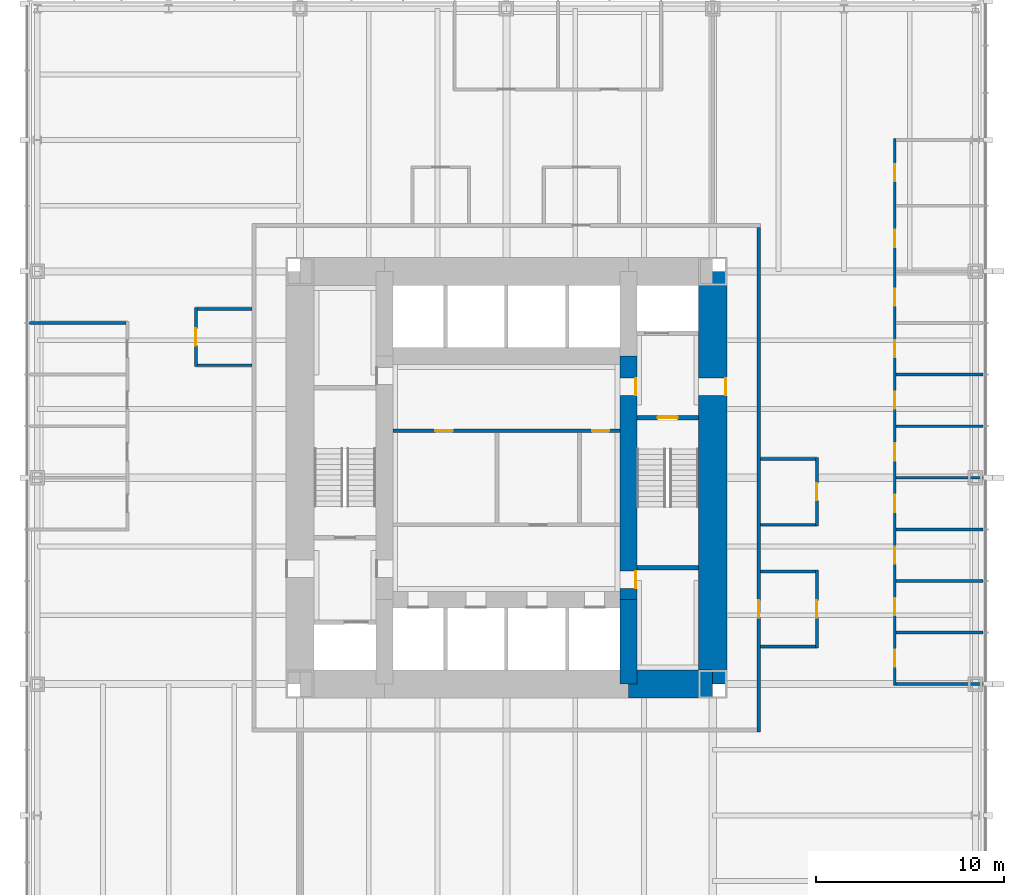
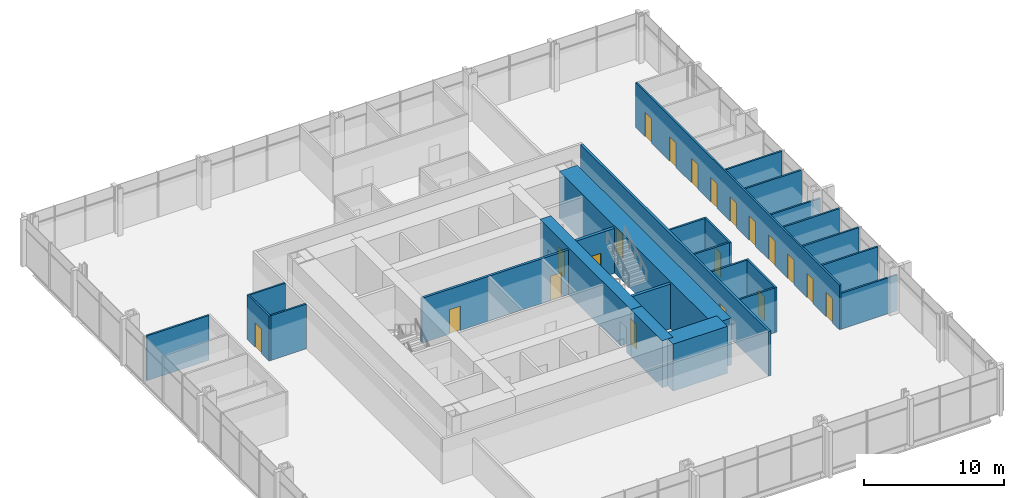
# One storey, part 10 of 12: 26 walls, 20 doors, 20 openings.
"""IFC4 building model written with IfcOpenShell, lengths in metres."""

from ifc_helpers import new_model, si_unit, direction, frame, frame_2d, origin, place, context, subcontext, project, spatial, rectangle, extrude, material, layer, layer_set, type_object, element, fill, save


model = new_model("IFC4")

# Units and contexts
model_context = context("Model", 3, precision=1e-05, world=origin(), true_north=direction((0.0, 1.0)))
body_context = subcontext(model_context, "Body", "Model", "MODEL_VIEW")
ifc_project = project(units=[si_unit("LENGTHUNIT", "METRE"), si_unit("AREAUNIT", "SQUARE_METRE"), si_unit("VOLUMEUNIT", "CUBIC_METRE"), si_unit("PLANEANGLEUNIT", "RADIAN"), si_unit("MASSUNIT", "GRAM", prefix="KILO")], contexts=[model_context])

# Site, building, storey
site_placement = place(None, origin())
site = spatial("IfcSite", under=ifc_project, at=site_placement, CompositionType="ELEMENT")
building_placement = place(site_placement, origin())
building = spatial("IfcBuilding", under=site, at=building_placement, Name="Trevanion Tower", CompositionType="ELEMENT")
storey_placement = place(building_placement, frame((0.0, 0.0, 48.800048828125)))
storey = spatial("IfcBuildingStorey", under=building, at=storey_placement, Name="L11", CompositionType="ELEMENT", Elevation=48.800048828125)

# Wall, opening, door
ifc_material_1 = material(Name="Concrete 10,000 psi", Category="concrete")
ifc_layer_1 = layer(ifc_material_1, 1.5)
ifc_layer_set_1 = layer_set([ifc_layer_1], Name="CW1 core wall 1500")
wall_type_1 = type_object("IfcWallType", Name="CW1 core wall 1500", PredefinedType="SHEAR", material=ifc_layer_set_1)
wall_1_placement = place(storey_placement, frame((11.0, -11.0, 0.0), z_axis=(0.0, 0.0, 1.0), x_axis=(0.0, 1.0, 0.0)))
wall_1 = element("IfcWall", 1, at=wall_1_placement, inside=storey, type_object=wall_type_1, Name="CW1 CE L11", PredefinedType="SHEAR", context=body_context, shape_type="SweptSolid", body=[
    extrude(rectangle(XDim=22.0, YDim=1.5, at=frame_2d((11.0, 0.0))), origin(), (0.0, 0.0, 1.0), 4.099853515625),
])
opening_1_placement = place(wall_1_placement, frame((15.392578125, 0.0, 0.0)))
opening_1 = element("IfcOpeningElement", 2, at=opening_1_placement, cuts=wall_1, Name="Opening 11-001", PredefinedType="OPENING", context=body_context, shape_type="SweptSolid", body=[
    extrude(rectangle(XDim=0.9150390625, YDim=2.134033203125, at=frame_2d((0.45751953125, 1.06689453125))), frame((0.0, 0.760009765625, 0.0), z_axis=(0.0, -1.0, 0.0), x_axis=(1.0, 0.0, 0.0)), (0.0, 0.0, 1.0), 1.52001953125),
])
ifc_material_2 = material(Name="Hollow metal, fire rated", Category="steel")
door_type_1 = type_object("IfcDoorType", Name="D3 fire lift lobby door", OperationType="SINGLE_SWING_RIGHT", PredefinedType="DOOR", material=ifc_material_2)
door_1_placement = place(opening_1_placement, origin())
door_1 = element("IfcDoor", 3, at=door_1_placement, inside=storey, type_object=door_type_1, Name="Door 11-001", OperationType="SINGLE_SWING_RIGHT", OverallHeight=2.134033203125, OverallWidth=0.9150390625, PredefinedType="DOOR", context=body_context, shape_type="SweptSolid", body=[
    extrude(rectangle(XDim=0.9150390625, YDim=2.134033203125, at=frame_2d((0.45751953125, 1.06689453125))), frame((0.0, -0.6748046875, 0.0), z_axis=(0.0, -1.0, 0.0), x_axis=(1.0, 0.0, 0.0)), (0.0, 0.0, 1.0), 0.050048828125),
])
fill(opening_1, door_1)

# Walls
wall_2_placement = place(storey_placement, frame((6.5, -11.0, 0.0), z_axis=(0.0, 0.0, 1.0), x_axis=(1.0, 0.0, 0.0)))
element("IfcWall", 4, at=wall_2_placement, inside=storey, type_object=wall_type_1, Name="CW1 CS3 L11", PredefinedType="SHEAR", context=body_context, shape_type="SweptSolid", body=[
    extrude(rectangle(XDim=4.5, YDim=1.5, at=frame_2d((2.25, 0.0))), origin(), (0.0, 0.0, 1.0), 4.099853515625),
])
ifc_material_3 = material(Name="Concrete 10,000 psi", Category="concrete")
ifc_layer_2 = layer(ifc_material_3, 0.89990234375)
ifc_layer_set_2 = layer_set([ifc_layer_2], Name="CW2 core wall 900")
wall_type_2 = type_object("IfcWallType", Name="CW2 core wall 900", PredefinedType="SHEAR", material=ifc_layer_set_2)
wall_3_placement = place(storey_placement, frame((6.5, -11.0, 0.0), z_axis=(0.0, 0.0, 1.0), x_axis=(0.0, 1.0, 0.0)))
element("IfcWall", 5, at=wall_3_placement, inside=storey, type_object=wall_type_2, Name="CW2 RE1 L11", PredefinedType="SHEAR", context=body_context, shape_type="SweptSolid", body=[
    extrude(rectangle(XDim=4.5, YDim=0.89990234375, at=frame_2d((2.25, 0.0))), origin(), (0.0, 0.0, 1.0), 4.099853515625),
])

# Wall, openings, doors
wall_4_placement = place(storey_placement, frame((6.5, -6.5, 0.0), z_axis=(0.0, 0.0, 1.0), x_axis=(0.0, 1.0, 0.0)))
wall_4 = element("IfcWall", 6, at=wall_4_placement, inside=storey, type_object=wall_type_2, Name="CW2 RE2 L11", PredefinedType="SHEAR", context=body_context, shape_type="SweptSolid", body=[
    extrude(rectangle(XDim=13.0, YDim=0.89990234375, at=frame_2d((6.5, 0.0))), origin(), (0.0, 0.0, 1.0), 4.099853515625),
])
opening_2_placement = place(wall_4_placement, frame((10.892578125, 0.0, 0.0)))
opening_2 = element("IfcOpeningElement", 7, at=opening_2_placement, cuts=wall_4, Name="Opening 11-003", PredefinedType="OPENING", context=body_context, shape_type="SweptSolid", body=[
    extrude(rectangle(XDim=0.9150390625, YDim=2.134033203125, at=frame_2d((0.45751953125, 1.06689453125))), frame((0.0, 0.4599609375, 0.0), z_axis=(0.0, -1.0, 0.0), x_axis=(1.0, 0.0, 0.0)), (0.0, 0.0, 1.0), 0.919921875),
])
opening_3_placement = place(wall_4_placement, frame((0.610107421875, 0.0, 0.0)))
opening_3 = element("IfcOpeningElement", 8, at=opening_3_placement, cuts=wall_4, Name="Opening 11-009", PredefinedType="OPENING", context=body_context, shape_type="SweptSolid", body=[
    extrude(rectangle(XDim=0.9150390625, YDim=2.134033203125, at=frame_2d((0.45751953125, 1.06689453125))), frame((0.0, 0.4599609375, 0.0), z_axis=(0.0, -1.0, 0.0), x_axis=(1.0, 0.0, 0.0)), (0.0, 0.0, 1.0), 0.919921875),
])
door_2_placement = place(opening_2_placement, origin())
door_2 = element("IfcDoor", 9, at=door_2_placement, inside=storey, type_object=door_type_1, Name="Door 11-003", OperationType="SINGLE_SWING_RIGHT", OverallHeight=2.134033203125, OverallWidth=0.9150390625, PredefinedType="DOOR", context=body_context, shape_type="SweptSolid", body=[
    extrude(rectangle(XDim=0.9150390625, YDim=2.134033203125, at=frame_2d((0.45751953125, 1.06689453125))), frame((0.0, -0.375, 0.0), z_axis=(0.0, -1.0, 0.0), x_axis=(1.0, 0.0, 0.0)), (0.0, 0.0, 1.0), 0.050048828125),
])
fill(opening_2, door_2)
ifc_material_4 = material(Name="Hollow metal, fire rated", Category="steel")
door_type_2 = type_object("IfcDoorType", Name="D5 service room door", OperationType="SINGLE_SWING_RIGHT", PredefinedType="DOOR", material=ifc_material_4)
door_3_placement = place(opening_3_placement, origin())
door_3 = element("IfcDoor", 10, at=door_3_placement, inside=storey, type_object=door_type_2, Name="Door 11-009", OperationType="SINGLE_SWING_RIGHT", OverallHeight=2.134033203125, OverallWidth=0.9150390625, PredefinedType="DOOR", context=body_context, shape_type="SweptSolid", body=[
    extrude(rectangle(XDim=0.9150390625, YDim=2.134033203125, at=frame_2d((0.45751953125, 1.06689453125))), frame((0.0, -0.375, 0.0), z_axis=(0.0, -1.0, 0.0), x_axis=(1.0, 0.0, 0.0)), (0.0, 0.0, 1.0), 0.050048828125),
])
fill(opening_3, door_3)

ifc_material_5 = material(Name="Gypsum board on steel studs", Category="steel")
ifc_layer_3 = layer(ifc_material_5, 0.14990234375)
ifc_layer_set_3 = layer_set([ifc_layer_3], Name="PT1 partition 150")
wall_type_3 = type_object("IfcWallType", Name="PT1 partition 150", PredefinedType="PARTITIONING", material=ifc_layer_set_3)
wall_5_placement = place(storey_placement, frame((20.699951171875, -11.074951171875, 0.0), z_axis=(0.0, 0.0, 1.0), x_axis=(0.0, 1.0, 0.0)))
wall_5 = element("IfcWall", 11, at=wall_5_placement, inside=storey, type_object=wall_type_3, Name="PT1 L11 FC0F", PredefinedType="PARTITIONING", context=body_context, shape_type="SweptSolid", body=[
    extrude(rectangle(XDim=29.14990234375, YDim=0.14990234375, at=frame_2d((14.574951171875, 0.0))), origin(), (0.0, 0.0, 1.0), 3.909912109375),
])
opening_4_placement = place(wall_5_placement, frame((0.992431640625, 0.0, 0.0)))
opening_4 = element("IfcOpeningElement", 12, at=opening_4_placement, cuts=wall_5, Name="Opening 11-018", PredefinedType="OPENING", context=body_context, shape_type="SweptSolid", body=[
    extrude(rectangle(XDim=0.9150390625, YDim=2.134033203125, at=frame_2d((0.45751953125, 1.06689453125))), frame((0.0, 0.0849609375, 0.0), z_axis=(0.0, -1.0, 0.0), x_axis=(1.0, 0.0, 0.0)), (0.0, 0.0, 1.0), 0.169921875),
])
opening_5_placement = place(wall_5_placement, frame((3.742431640625, 0.0, 0.0)))
opening_5 = element("IfcOpeningElement", 13, at=opening_5_placement, cuts=wall_5, Name="Opening 11-019", PredefinedType="OPENING", context=body_context, shape_type="SweptSolid", body=[
    extrude(rectangle(XDim=0.9150390625, YDim=2.134033203125, at=frame_2d((0.45751953125, 1.06689453125))), frame((0.0, 0.0849609375, 0.0), z_axis=(0.0, -1.0, 0.0), x_axis=(1.0, 0.0, 0.0)), (0.0, 0.0, 1.0), 0.169921875),
])
opening_6_placement = place(wall_5_placement, frame((6.492431640625, 0.0, 0.0)))
opening_6 = element("IfcOpeningElement", 14, at=opening_6_placement, cuts=wall_5, Name="Opening 11-020", PredefinedType="OPENING", context=body_context, shape_type="SweptSolid", body=[
    extrude(rectangle(XDim=0.9150390625, YDim=2.134033203125, at=frame_2d((0.45751953125, 1.06689453125))), frame((0.0, 0.0849609375, 0.0), z_axis=(0.0, -1.0, 0.0), x_axis=(1.0, 0.0, 0.0)), (0.0, 0.0, 1.0), 0.169921875),
])
opening_7_placement = place(wall_5_placement, frame((9.242431640625, 0.0, 0.0)))
opening_7 = element("IfcOpeningElement", 15, at=opening_7_placement, cuts=wall_5, Name="Opening 11-021", PredefinedType="OPENING", context=body_context, shape_type="SweptSolid", body=[
    extrude(rectangle(XDim=0.9150390625, YDim=2.134033203125, at=frame_2d((0.45751953125, 1.06689453125))), frame((0.0, 0.0849609375, 0.0), z_axis=(0.0, -1.0, 0.0), x_axis=(1.0, 0.0, 0.0)), (0.0, 0.0, 1.0), 0.169921875),
])
opening_8_placement = place(wall_5_placement, frame((11.992431640625, 0.0, 0.0)))
opening_8 = element("IfcOpeningElement", 16, at=opening_8_placement, cuts=wall_5, Name="Opening 11-022", PredefinedType="OPENING", context=body_context, shape_type="SweptSolid", body=[
    extrude(rectangle(XDim=0.9150390625, YDim=2.134033203125, at=frame_2d((0.45751953125, 1.06689453125))), frame((0.0, 0.0849609375, 0.0), z_axis=(0.0, -1.0, 0.0), x_axis=(1.0, 0.0, 0.0)), (0.0, 0.0, 1.0), 0.169921875),
])
opening_9_placement = place(wall_5_placement, frame((14.742431640625, 0.0, 0.0)))
opening_9 = element("IfcOpeningElement", 17, at=opening_9_placement, cuts=wall_5, Name="Opening 11-023", PredefinedType="OPENING", context=body_context, shape_type="SweptSolid", body=[
    extrude(rectangle(XDim=0.9150390625, YDim=2.134033203125, at=frame_2d((0.45751953125, 1.06689453125))), frame((0.0, 0.0849609375, 0.0), z_axis=(0.0, -1.0, 0.0), x_axis=(1.0, 0.0, 0.0)), (0.0, 0.0, 1.0), 0.169921875),
])
opening_10_placement = place(wall_5_placement, frame((17.492431640625, 0.0, 0.0)))
opening_10 = element("IfcOpeningElement", 18, at=opening_10_placement, cuts=wall_5, Name="Opening 11-024", PredefinedType="OPENING", context=body_context, shape_type="SweptSolid", body=[
    extrude(rectangle(XDim=0.9150390625, YDim=2.134033203125, at=frame_2d((0.45751953125, 1.06689453125))), frame((0.0, 0.0849609375, 0.0), z_axis=(0.0, -1.0, 0.0), x_axis=(1.0, 0.0, 0.0)), (0.0, 0.0, 1.0), 0.169921875),
])
opening_11_placement = place(wall_5_placement, frame((20.242431640625, 0.0, 0.0)))
opening_11 = element("IfcOpeningElement", 19, at=opening_11_placement, cuts=wall_5, Name="Opening 11-025", PredefinedType="OPENING", context=body_context, shape_type="SweptSolid", body=[
    extrude(rectangle(XDim=0.9150390625, YDim=2.134033203125, at=frame_2d((0.45751953125, 1.06689453125))), frame((0.0, 0.0849609375, 0.0), z_axis=(0.0, -1.0, 0.0), x_axis=(1.0, 0.0, 0.0)), (0.0, 0.0, 1.0), 0.169921875),
])
opening_12_placement = place(wall_5_placement, frame((23.367431640625, 0.0, 0.0)))
opening_12 = element("IfcOpeningElement", 20, at=opening_12_placement, cuts=wall_5, Name="Opening 11-026", PredefinedType="OPENING", context=body_context, shape_type="SweptSolid", body=[
    extrude(rectangle(XDim=0.9150390625, YDim=2.134033203125, at=frame_2d((0.45751953125, 1.06689453125))), frame((0.0, 0.0849609375, 0.0), z_axis=(0.0, -1.0, 0.0), x_axis=(1.0, 0.0, 0.0)), (0.0, 0.0, 1.0), 0.169921875),
])
opening_13_placement = place(wall_5_placement, frame((26.867431640625, 0.0, 0.0)))
opening_13 = element("IfcOpeningElement", 21, at=opening_13_placement, cuts=wall_5, Name="Opening 11-027", PredefinedType="OPENING", context=body_context, shape_type="SweptSolid", body=[
    extrude(rectangle(XDim=0.9150390625, YDim=2.134033203125, at=frame_2d((0.45751953125, 1.06689453125))), frame((0.0, 0.0849609375, 0.0), z_axis=(0.0, -1.0, 0.0), x_axis=(1.0, 0.0, 0.0)), (0.0, 0.0, 1.0), 0.169921875),
])
ifc_material_6 = material(Name="Timber veneer, solid core", Category="wood")
door_type_3 = type_object("IfcDoorType", Name="D1 office and meeting room door", OperationType="SINGLE_SWING_LEFT", PredefinedType="DOOR", material=ifc_material_6)
door_4_placement = place(opening_4_placement, origin())
door_4 = element("IfcDoor", 22, at=door_4_placement, inside=storey, type_object=door_type_3, Name="Door 11-018", OperationType="SINGLE_SWING_LEFT", OverallHeight=2.134033203125, OverallWidth=0.9150390625, PredefinedType="DOOR", context=body_context, shape_type="SweptSolid", body=[
    extrude(rectangle(XDim=0.9150390625, YDim=2.134033203125, at=frame_2d((0.45751953125, 1.06689453125))), frame((0.0, 0.02490234375, 0.0), z_axis=(0.0, -1.0, 0.0), x_axis=(1.0, 0.0, 0.0)), (0.0, 0.0, 1.0), 0.050048828125),
])
fill(opening_4, door_4)
door_5_placement = place(opening_5_placement, origin())
door_5 = element("IfcDoor", 23, at=door_5_placement, inside=storey, type_object=door_type_3, Name="Door 11-019", OperationType="SINGLE_SWING_LEFT", OverallHeight=2.134033203125, OverallWidth=0.9150390625, PredefinedType="DOOR", context=body_context, shape_type="SweptSolid", body=[
    extrude(rectangle(XDim=0.9150390625, YDim=2.134033203125, at=frame_2d((0.45751953125, 1.06689453125))), frame((0.0, 0.02490234375, 0.0), z_axis=(0.0, -1.0, 0.0), x_axis=(1.0, 0.0, 0.0)), (0.0, 0.0, 1.0), 0.050048828125),
])
fill(opening_5, door_5)
door_6_placement = place(opening_6_placement, origin())
door_6 = element("IfcDoor", 24, at=door_6_placement, inside=storey, type_object=door_type_3, Name="Door 11-020", OperationType="SINGLE_SWING_LEFT", OverallHeight=2.134033203125, OverallWidth=0.9150390625, PredefinedType="DOOR", context=body_context, shape_type="SweptSolid", body=[
    extrude(rectangle(XDim=0.9150390625, YDim=2.134033203125, at=frame_2d((0.45751953125, 1.06689453125))), frame((0.0, 0.02490234375, 0.0), z_axis=(0.0, -1.0, 0.0), x_axis=(1.0, 0.0, 0.0)), (0.0, 0.0, 1.0), 0.050048828125),
])
fill(opening_6, door_6)
door_7_placement = place(opening_7_placement, origin())
door_7 = element("IfcDoor", 25, at=door_7_placement, inside=storey, type_object=door_type_3, Name="Door 11-021", OperationType="SINGLE_SWING_LEFT", OverallHeight=2.134033203125, OverallWidth=0.9150390625, PredefinedType="DOOR", context=body_context, shape_type="SweptSolid", body=[
    extrude(rectangle(XDim=0.9150390625, YDim=2.134033203125, at=frame_2d((0.45751953125, 1.06689453125))), frame((0.0, 0.02490234375, 0.0), z_axis=(0.0, -1.0, 0.0), x_axis=(1.0, 0.0, 0.0)), (0.0, 0.0, 1.0), 0.050048828125),
])
fill(opening_7, door_7)
door_8_placement = place(opening_8_placement, origin())
door_8 = element("IfcDoor", 26, at=door_8_placement, inside=storey, type_object=door_type_3, Name="Door 11-022", OperationType="SINGLE_SWING_LEFT", OverallHeight=2.134033203125, OverallWidth=0.9150390625, PredefinedType="DOOR", context=body_context, shape_type="SweptSolid", body=[
    extrude(rectangle(XDim=0.9150390625, YDim=2.134033203125, at=frame_2d((0.45751953125, 1.06689453125))), frame((0.0, 0.02490234375, 0.0), z_axis=(0.0, -1.0, 0.0), x_axis=(1.0, 0.0, 0.0)), (0.0, 0.0, 1.0), 0.050048828125),
])
fill(opening_8, door_8)
door_9_placement = place(opening_9_placement, origin())
door_9 = element("IfcDoor", 27, at=door_9_placement, inside=storey, type_object=door_type_3, Name="Door 11-023", OperationType="SINGLE_SWING_LEFT", OverallHeight=2.134033203125, OverallWidth=0.9150390625, PredefinedType="DOOR", context=body_context, shape_type="SweptSolid", body=[
    extrude(rectangle(XDim=0.9150390625, YDim=2.134033203125, at=frame_2d((0.45751953125, 1.06689453125))), frame((0.0, 0.02490234375, 0.0), z_axis=(0.0, -1.0, 0.0), x_axis=(1.0, 0.0, 0.0)), (0.0, 0.0, 1.0), 0.050048828125),
])
fill(opening_9, door_9)
door_10_placement = place(opening_10_placement, origin())
door_10 = element("IfcDoor", 28, at=door_10_placement, inside=storey, type_object=door_type_3, Name="Door 11-024", OperationType="SINGLE_SWING_LEFT", OverallHeight=2.134033203125, OverallWidth=0.9150390625, PredefinedType="DOOR", context=body_context, shape_type="SweptSolid", body=[
    extrude(rectangle(XDim=0.9150390625, YDim=2.134033203125, at=frame_2d((0.45751953125, 1.06689453125))), frame((0.0, 0.02490234375, 0.0), z_axis=(0.0, -1.0, 0.0), x_axis=(1.0, 0.0, 0.0)), (0.0, 0.0, 1.0), 0.050048828125),
])
fill(opening_10, door_10)
door_11_placement = place(opening_11_placement, origin())
door_11 = element("IfcDoor", 29, at=door_11_placement, inside=storey, type_object=door_type_3, Name="Door 11-025", OperationType="SINGLE_SWING_LEFT", OverallHeight=2.134033203125, OverallWidth=0.9150390625, PredefinedType="DOOR", context=body_context, shape_type="SweptSolid", body=[
    extrude(rectangle(XDim=0.9150390625, YDim=2.134033203125, at=frame_2d((0.45751953125, 1.06689453125))), frame((0.0, 0.02490234375, 0.0), z_axis=(0.0, -1.0, 0.0), x_axis=(1.0, 0.0, 0.0)), (0.0, 0.0, 1.0), 0.050048828125),
])
fill(opening_11, door_11)
door_12_placement = place(opening_12_placement, origin())
door_12 = element("IfcDoor", 30, at=door_12_placement, inside=storey, type_object=door_type_3, Name="Door 11-026", OperationType="SINGLE_SWING_LEFT", OverallHeight=2.134033203125, OverallWidth=0.9150390625, PredefinedType="DOOR", context=body_context, shape_type="SweptSolid", body=[
    extrude(rectangle(XDim=0.9150390625, YDim=2.134033203125, at=frame_2d((0.45751953125, 1.06689453125))), frame((0.0, 0.02490234375, 0.0), z_axis=(0.0, -1.0, 0.0), x_axis=(1.0, 0.0, 0.0)), (0.0, 0.0, 1.0), 0.050048828125),
])
fill(opening_12, door_12)
door_13_placement = place(opening_13_placement, origin())
door_13 = element("IfcDoor", 31, at=door_13_placement, inside=storey, type_object=door_type_3, Name="Door 11-027", OperationType="SINGLE_SWING_LEFT", OverallHeight=2.134033203125, OverallWidth=0.9150390625, PredefinedType="DOOR", context=body_context, shape_type="SweptSolid", body=[
    extrude(rectangle(XDim=0.9150390625, YDim=2.134033203125, at=frame_2d((0.45751953125, 1.06689453125))), frame((0.0, 0.02490234375, 0.0), z_axis=(0.0, -1.0, 0.0), x_axis=(1.0, 0.0, 0.0)), (0.0, 0.0, 1.0), 0.050048828125),
])
fill(opening_13, door_13)

# Walls
wall_6_placement = place(storey_placement, frame((20.77490234375, -11.0, 0.0), z_axis=(0.0, 0.0, 1.0), x_axis=(1.0, 0.0, 0.0)))
element("IfcWall", 32, at=wall_6_placement, inside=storey, type_object=wall_type_3, Name="PT1 L11 FC0S0", PredefinedType="PARTITIONING", context=body_context, shape_type="SweptSolid", body=[
    extrude(rectangle(XDim=4.64013671875, YDim=0.14990234375, at=frame_2d((2.320068359375, 0.0))), origin(), (0.0, 0.0, 1.0), 3.130126953125),
])
for number, where, z_axis, x_axis, name in (
    (33, (20.77490234375, -8.25, 0.0), (0.0, 0.0, 1.0), (1.0, 0.0, 0.0), "PT1 L11 FC0S1"),
    (34, (20.77490234375, -5.5, 0.0), (0.0, 0.0, 1.0), (1.0, 0.0, 0.0), "PT1 L11 FC0S2"),
    (35, (20.77490234375, -2.75, 0.0), (0.0, 0.0, 1.0), (1.0, 0.0, 0.0), "PT1 L11 FC0S3"),
):
    element("IfcWall", number, at=place(storey_placement, frame(where, z_axis=z_axis, x_axis=x_axis)), inside=storey, type_object=wall_type_3, Name=name, PredefinedType="PARTITIONING", context=body_context, shape_type="SweptSolid", body=[
        extrude(rectangle(XDim=4.64013671875, YDim=0.14990234375, at=frame_2d((2.320068359375, 0.0))), origin(), (0.0, 0.0, 1.0), 3.909912109375),
    ])
wall_7_placement = place(storey_placement, frame((20.77490234375, 0.0, 0.0), z_axis=(0.0, 0.0, 1.0), x_axis=(1.0, 0.0, 0.0)))
element("IfcWall", 36, at=wall_7_placement, inside=storey, type_object=wall_type_3, Name="PT1 L11 FC0S4", PredefinedType="PARTITIONING", context=body_context, shape_type="SweptSolid", body=[
    extrude(rectangle(XDim=4.64013671875, YDim=0.14990234375, at=frame_2d((2.320068359375, 0.0))), origin(), (0.0, 0.0, 1.0), 3.130126953125),
])
for number, where, z_axis, x_axis, name in (
    (37, (20.77490234375, 2.75, 0.0), (0.0, 0.0, 1.0), (1.0, 0.0, 0.0), "PT1 L11 FC0S5"),
    (38, (20.77490234375, 5.5, 0.0), (0.0, 0.0, 1.0), (1.0, 0.0, 0.0), "PT1 L11 FC0S6"),
):
    element("IfcWall", number, at=place(storey_placement, frame(where, z_axis=z_axis, x_axis=x_axis)), inside=storey, type_object=wall_type_3, Name=name, PredefinedType="PARTITIONING", context=body_context, shape_type="SweptSolid", body=[
        extrude(rectangle(XDim=4.64013671875, YDim=0.14990234375, at=frame_2d((2.320068359375, 0.0))), origin(), (0.0, 0.0, 1.0), 3.909912109375),
    ])
wall_8_placement = place(storey_placement, frame((-20.27490234375, 8.25, 0.0), z_axis=(0.0, 0.0, 1.0), x_axis=(-1.0, 0.0, 0.0)))
element("IfcWall", 39, at=wall_8_placement, inside=storey, type_object=wall_type_3, Name="PT1 L11 FC2S0", PredefinedType="PARTITIONING", context=body_context, shape_type="SweptSolid", body=[
    extrude(rectangle(XDim=5.14013671875, YDim=0.14990234375, at=frame_2d((2.570068359375, 0.0))), origin(), (0.0, 0.0, 1.0), 3.909912109375),
])

# Wall, opening, door
wall_9_placement = place(storey_placement, frame((16.550048828125, -9.074951171875, 0.0), z_axis=(0.0, 0.0, 1.0), x_axis=(0.0, 1.0, 0.0)))
wall_9 = element("IfcWall", 40, at=wall_9_placement, inside=storey, type_object=wall_type_3, Name="PT1 L11 IN00F", PredefinedType="PARTITIONING", context=body_context, shape_type="SweptSolid", body=[
    extrude(rectangle(XDim=4.14990234375, YDim=0.14990234375, at=frame_2d((2.074951171875, 0.0))), origin(), (0.0, 0.0, 1.0), 3.909912109375),
])
opening_14_placement = place(wall_9_placement, frame((1.617431640625, 0.0, 0.0)))
opening_14 = element("IfcOpeningElement", 41, at=opening_14_placement, cuts=wall_9, Name="Opening 11-034", PredefinedType="OPENING", context=body_context, shape_type="SweptSolid", body=[
    extrude(rectangle(XDim=0.9150390625, YDim=2.134033203125, at=frame_2d((0.45751953125, 1.06689453125))), frame((0.0, 0.0849609375, 0.0), z_axis=(0.0, -1.0, 0.0), x_axis=(1.0, 0.0, 0.0)), (0.0, 0.0, 1.0), 0.169921875),
])
door_14_placement = place(opening_14_placement, origin())
door_14 = element("IfcDoor", 42, at=door_14_placement, inside=storey, type_object=door_type_3, Name="Door 11-034", OperationType="SINGLE_SWING_LEFT", OverallHeight=2.134033203125, OverallWidth=0.9150390625, PredefinedType="DOOR", context=body_context, shape_type="SweptSolid", body=[
    extrude(rectangle(XDim=0.9150390625, YDim=2.134033203125, at=frame_2d((0.45751953125, 1.06689453125))), frame((0.0, 0.02490234375, 0.0), z_axis=(0.0, -1.0, 0.0), x_axis=(1.0, 0.0, 0.0)), (0.0, 0.0, 1.0), 0.050048828125),
])
fill(opening_14, door_14)

# Walls
for number, where, z_axis, x_axis, name in (
    (43, (16.47509765625, -9.0, 0.0), (0.0, 0.0, 1.0), (-1.0, 0.0, 0.0), "PT1 L11 IN00S0"),
    (44, (16.47509765625, -5.0, 0.0), (0.0, 0.0, 1.0), (-1.0, 0.0, 0.0), "PT1 L11 IN00S1"),
):
    element("IfcWall", number, at=place(storey_placement, frame(where, z_axis=z_axis, x_axis=x_axis)), inside=storey, type_object=wall_type_3, Name=name, PredefinedType="PARTITIONING", context=body_context, shape_type="SweptSolid", body=[
        extrude(rectangle(XDim=2.925048828125, YDim=0.14990234375, at=frame_2d((1.46240234375, 0.0))), origin(), (0.0, 0.0, 1.0), 3.909912109375),
    ])

# Wall, opening, door
wall_10_placement = place(storey_placement, frame((16.550048828125, -2.574951171875, 0.0), z_axis=(0.0, 0.0, 1.0), x_axis=(0.0, 1.0, 0.0)))
wall_10 = element("IfcWall", 45, at=wall_10_placement, inside=storey, type_object=wall_type_3, Name="PT1 L11 IN01F", PredefinedType="PARTITIONING", context=body_context, shape_type="SweptSolid", body=[
    extrude(rectangle(XDim=3.64990234375, YDim=0.14990234375, at=frame_2d((1.824951171875, 0.0))), origin(), (0.0, 0.0, 1.0), 3.909912109375),
])
opening_15_placement = place(wall_10_placement, frame((1.367431640625, 0.0, 0.0)))
opening_15 = element("IfcOpeningElement", 46, at=opening_15_placement, cuts=wall_10, Name="Opening 11-036", PredefinedType="OPENING", context=body_context, shape_type="SweptSolid", body=[
    extrude(rectangle(XDim=0.9150390625, YDim=2.134033203125, at=frame_2d((0.45751953125, 1.06689453125))), frame((0.0, 0.0849609375, 0.0), z_axis=(0.0, -1.0, 0.0), x_axis=(1.0, 0.0, 0.0)), (0.0, 0.0, 1.0), 0.169921875),
])
door_15_placement = place(opening_15_placement, origin())
door_15 = element("IfcDoor", 47, at=door_15_placement, inside=storey, type_object=door_type_3, Name="Door 11-036", OperationType="SINGLE_SWING_LEFT", OverallHeight=2.134033203125, OverallWidth=0.9150390625, PredefinedType="DOOR", context=body_context, shape_type="SweptSolid", body=[
    extrude(rectangle(XDim=0.9150390625, YDim=2.134033203125, at=frame_2d((0.45751953125, 1.06689453125))), frame((0.0, 0.02490234375, 0.0), z_axis=(0.0, -1.0, 0.0), x_axis=(1.0, 0.0, 0.0)), (0.0, 0.0, 1.0), 0.050048828125),
])
fill(opening_15, door_15)

# Walls
for number, where, z_axis, x_axis, name in (
    (48, (16.47509765625, -2.5, 0.0), (0.0, 0.0, 1.0), (-1.0, 0.0, 0.0), "PT1 L11 IN01S0"),
    (49, (16.47509765625, 1.0, 0.0), (0.0, 0.0, 1.0), (-1.0, 0.0, 0.0), "PT1 L11 IN01S1"),
):
    element("IfcWall", number, at=place(storey_placement, frame(where, z_axis=z_axis, x_axis=x_axis)), inside=storey, type_object=wall_type_3, Name=name, PredefinedType="PARTITIONING", context=body_context, shape_type="SweptSolid", body=[
        extrude(rectangle(XDim=2.925048828125, YDim=0.14990234375, at=frame_2d((1.46240234375, 0.0))), origin(), (0.0, 0.0, 1.0), 3.909912109375),
    ])

# Wall, opening, door
wall_11_placement = place(storey_placement, frame((-16.550048828125, 9.074951171875, 0.0), z_axis=(0.0, 0.0, 1.0), x_axis=(0.0, -1.0, 0.0)))
wall_11 = element("IfcWall", 50, at=wall_11_placement, inside=storey, type_object=wall_type_3, Name="PT1 L11 IN20F", PredefinedType="PARTITIONING", context=body_context, shape_type="SweptSolid", body=[
    extrude(rectangle(XDim=3.14990234375, YDim=0.14990234375, at=frame_2d((1.574951171875, 0.0))), origin(), (0.0, 0.0, 1.0), 3.909912109375),
])
opening_16_placement = place(wall_11_placement, frame((1.117431640625, 0.0, 0.0)))
opening_16 = element("IfcOpeningElement", 51, at=opening_16_placement, cuts=wall_11, Name="Opening 11-040", PredefinedType="OPENING", context=body_context, shape_type="SweptSolid", body=[
    extrude(rectangle(XDim=0.9150390625, YDim=2.134033203125, at=frame_2d((0.45751953125, 1.06689453125))), frame((0.0, 0.0849609375, 0.0), z_axis=(0.0, -1.0, 0.0), x_axis=(1.0, 0.0, 0.0)), (0.0, 0.0, 1.0), 0.169921875),
])
door_16_placement = place(opening_16_placement, origin())
door_16 = element("IfcDoor", 52, at=door_16_placement, inside=storey, type_object=door_type_3, Name="Door 11-040", OperationType="SINGLE_SWING_LEFT", OverallHeight=2.134033203125, OverallWidth=0.9150390625, PredefinedType="DOOR", context=body_context, shape_type="SweptSolid", body=[
    extrude(rectangle(XDim=0.9150390625, YDim=2.134033203125, at=frame_2d((0.45751953125, 1.06689453125))), frame((0.0, 0.02490234375, 0.0), z_axis=(0.0, -1.0, 0.0), x_axis=(1.0, 0.0, 0.0)), (0.0, 0.0, 1.0), 0.050048828125),
])
fill(opening_16, door_16)

# Walls
for number, where, z_axis, x_axis, name in (
    (53, (-16.47509765625, 9.0, 0.0), (0.0, 0.0, 1.0), (1.0, 0.0, 0.0), "PT1 L11 IN20S0"),
    (54, (-16.47509765625, 6.0, 0.0), (0.0, 0.0, 1.0), (1.0, 0.0, 0.0), "PT1 L11 IN20S1"),
):
    element("IfcWall", number, at=place(storey_placement, frame(where, z_axis=z_axis, x_axis=x_axis)), inside=storey, type_object=wall_type_3, Name=name, PredefinedType="PARTITIONING", context=body_context, shape_type="SweptSolid", body=[
        extrude(rectangle(XDim=2.925048828125, YDim=0.14990234375, at=frame_2d((1.46240234375, 0.0))), origin(), (0.0, 0.0, 1.0), 3.909912109375),
    ])

# Wall, openings, doors
ifc_material_7 = material(Name="Concrete masonry, grouted", Category="masonry")
ifc_layer_4 = layer(ifc_material_7, 0.199951171875)
ifc_layer_set_4 = layer_set([ifc_layer_4], Name="PT2 partition 200 1 HR")
wall_type_4 = type_object("IfcWallType", Name="PT2 partition 200 1 HR", PredefinedType="PARTITIONING", material=ifc_layer_set_4)
wall_12_placement = place(storey_placement, frame((-6.050048828125, 2.5, 0.0), z_axis=(0.0, 0.0, 1.0), x_axis=(1.0, 0.0, 0.0)))
wall_12 = element("IfcWall", 55, at=wall_12_placement, inside=storey, type_object=wall_type_4, Name="PT2 L11 CP1", PredefinedType="PARTITIONING", context=body_context, shape_type="SweptSolid", body=[
    extrude(rectangle(XDim=12.10009765625, YDim=0.199951171875, at=frame_2d((6.050048828125, 0.0))), origin(), (0.0, 0.0, 1.0), 3.909912109375),
])
opening_17_placement = place(wall_12_placement, frame((2.267578125, 0.0, 0.0)))
opening_17 = element("IfcOpeningElement", 56, at=opening_17_placement, cuts=wall_12, Name="Opening 11-015", PredefinedType="OPENING", context=body_context, shape_type="SweptSolid", body=[
    extrude(rectangle(XDim=0.9150390625, YDim=2.134033203125, at=frame_2d((0.45751953125, 1.06689453125))), frame((0.0, 0.10986328125, 0.0), z_axis=(0.0, -1.0, 0.0), x_axis=(1.0, 0.0, 0.0)), (0.0, 0.0, 1.0), 0.219970703125),
])
opening_18_placement = place(wall_12_placement, frame((10.617431640625, 0.0, 0.0)))
opening_18 = element("IfcOpeningElement", 57, at=opening_18_placement, cuts=wall_12, Name="Opening 11-017", PredefinedType="OPENING", context=body_context, shape_type="SweptSolid", body=[
    extrude(rectangle(XDim=0.9150390625, YDim=2.134033203125, at=frame_2d((0.45751953125, 1.06689453125))), frame((0.0, 0.10986328125, 0.0), z_axis=(0.0, -1.0, 0.0), x_axis=(1.0, 0.0, 0.0)), (0.0, 0.0, 1.0), 0.219970703125),
])
ifc_material_8 = material(Name="Plastic laminate on fire-rated core", Category="wood")
door_type_4 = type_object("IfcDoorType", Name="D12 toilet door in a one hour wall", OperationType="SINGLE_SWING_LEFT", PredefinedType="DOOR", material=ifc_material_8)
door_17_placement = place(opening_17_placement, origin())
door_17 = element("IfcDoor", 58, at=door_17_placement, inside=storey, type_object=door_type_4, Name="Door 11-015", OperationType="SINGLE_SWING_LEFT", OverallHeight=2.134033203125, OverallWidth=0.9150390625, PredefinedType="DOOR", context=body_context, shape_type="SweptSolid", body=[
    extrude(rectangle(XDim=0.9150390625, YDim=2.134033203125, at=frame_2d((0.45751953125, 1.06689453125))), frame((0.0, 0.02490234375, 0.0), z_axis=(0.0, -1.0, 0.0), x_axis=(1.0, 0.0, 0.0)), (0.0, 0.0, 1.0), 0.050048828125),
])
fill(opening_17, door_17)
door_18_placement = place(opening_18_placement, origin())
door_18 = element("IfcDoor", 59, at=door_18_placement, inside=storey, type_object=door_type_4, Name="Door 11-017", OperationType="SINGLE_SWING_LEFT", OverallHeight=2.134033203125, OverallWidth=0.9150390625, PredefinedType="DOOR", context=body_context, shape_type="SweptSolid", body=[
    extrude(rectangle(XDim=0.9150390625, YDim=2.134033203125, at=frame_2d((0.45751953125, 1.06689453125))), frame((0.0, 0.02490234375, 0.0), z_axis=(0.0, -1.0, 0.0), x_axis=(1.0, 0.0, 0.0)), (0.0, 0.0, 1.0), 0.050048828125),
])
fill(opening_18, door_18)

# Wall, opening, door
wall_13_placement = place(storey_placement, frame((13.449951171875, -13.550048828125, 0.0), z_axis=(0.0, 0.0, 1.0), x_axis=(0.0, 1.0, 0.0)))
wall_13 = element("IfcWall", 60, at=wall_13_placement, inside=storey, type_object=wall_type_4, Name="PT2 L11 OC0", PredefinedType="PARTITIONING", context=body_context, shape_type="SweptSolid", body=[
    extrude(rectangle(XDim=26.900146484375, YDim=0.199951171875, at=frame_2d((13.4501953125, 0.0))), origin(), (0.0, 0.0, 1.0), 3.909912109375),
])
opening_19_placement = place(wall_13_placement, frame((6.092529296875, 0.0, 0.0)))
opening_19 = element("IfcOpeningElement", 61, at=opening_19_placement, cuts=wall_13, Name="Opening 11-035", PredefinedType="OPENING", context=body_context, shape_type="SweptSolid", body=[
    extrude(rectangle(XDim=0.9150390625, YDim=2.134033203125, at=frame_2d((0.45751953125, 1.06689453125))), frame((0.0, 0.10986328125, 0.0), z_axis=(0.0, -1.0, 0.0), x_axis=(1.0, 0.0, 0.0)), (0.0, 0.0, 1.0), 0.219970703125),
])
ifc_material_9 = material(Name="Timber veneer, fire rated", Category="wood")
door_type_5 = type_object("IfcDoorType", Name="D10 office door in a one hour wall", OperationType="SINGLE_SWING_LEFT", PredefinedType="DOOR", material=ifc_material_9)
door_19_placement = place(opening_19_placement, origin())
door_19 = element("IfcDoor", 62, at=door_19_placement, inside=storey, type_object=door_type_5, Name="Door 11-035", OperationType="SINGLE_SWING_LEFT", OverallHeight=2.134033203125, OverallWidth=0.9150390625, PredefinedType="DOOR", context=body_context, shape_type="SweptSolid", body=[
    extrude(rectangle(XDim=0.9150390625, YDim=2.134033203125, at=frame_2d((0.45751953125, 1.06689453125))), frame((0.0, 0.02490234375, 0.0), z_axis=(0.0, -1.0, 0.0), x_axis=(1.0, 0.0, 0.0)), (0.0, 0.0, 1.0), 0.050048828125),
])
fill(opening_19, door_19)

# Wall
ifc_material_10 = material(Name="Reinforced masonry, fully grouted", Category="masonry")
ifc_layer_5 = layer(ifc_material_10, 0.25)
ifc_layer_set_5 = layer_set([ifc_layer_5], Name="SW1 stair shaft wall 250")
wall_type_5 = type_object("IfcWallType", Name="SW1 stair shaft wall 250", PredefinedType="SOLIDWALL", material=ifc_layer_set_5)
wall_14_placement = place(storey_placement, frame((6.949951171875, -4.800048828125, 0.0), z_axis=(0.0, 0.0, 1.0), x_axis=(1.0, 0.0, 0.0)))
element("IfcWall", 63, at=wall_14_placement, inside=storey, type_object=wall_type_5, Name="SW1 L11 EP1", PredefinedType="SOLIDWALL", context=body_context, shape_type="SweptSolid", body=[
    extrude(rectangle(XDim=3.300048828125, YDim=0.25, at=frame_2d((1.64990234375, 0.0))), origin(), (0.0, 0.0, 1.0), 3.909912109375),
])

# Wall, opening, door
wall_15_placement = place(storey_placement, frame((6.949951171875, 3.199951171875, 0.0), z_axis=(0.0, 0.0, 1.0), x_axis=(1.0, 0.0, 0.0)))
wall_15 = element("IfcWall", 64, at=wall_15_placement, inside=storey, type_object=wall_type_5, Name="SW1 L11 EP2", PredefinedType="SOLIDWALL", context=body_context, shape_type="SweptSolid", body=[
    extrude(rectangle(XDim=3.300048828125, YDim=0.25, at=frame_2d((1.64990234375, 0.0))), origin(), (0.0, 0.0, 1.0), 3.909912109375),
])
opening_20_placement = place(wall_15_placement, frame((1.116455078125, 0.0, 0.0)))
opening_20 = element("IfcOpeningElement", 65, at=opening_20_placement, cuts=wall_15, Name="Opening 11-005", PredefinedType="OPENING", context=body_context, shape_type="SweptSolid", body=[
    extrude(rectangle(XDim=1.06689453125, YDim=2.134033203125, at=frame_2d((0.533447265625, 1.06689453125))), frame((0.0, 0.135009765625, 0.0), z_axis=(0.0, -1.0, 0.0), x_axis=(1.0, 0.0, 0.0)), (0.0, 0.0, 1.0), 0.27001953125),
])
ifc_material_11 = material(Name="Hollow metal, fire rated", Category="steel")
door_type_6 = type_object("IfcDoorType", Name="D2 exit stair door", OperationType="SINGLE_SWING_LEFT", PredefinedType="DOOR", material=ifc_material_11)
door_20_placement = place(opening_20_placement, origin())
door_20 = element("IfcDoor", 66, at=door_20_placement, inside=storey, type_object=door_type_6, Name="Door 11-005", OperationType="SINGLE_SWING_LEFT", OverallHeight=2.134033203125, OverallWidth=1.06689453125, PredefinedType="DOOR", context=body_context, shape_type="SweptSolid", body=[
    extrude(rectangle(XDim=1.06689453125, YDim=2.134033203125, at=frame_2d((0.533447265625, 1.06689453125))), frame((0.0, 0.02490234375, 0.0), z_axis=(0.0, -1.0, 0.0), x_axis=(1.0, 0.0, 0.0)), (0.0, 0.0, 1.0), 0.050048828125),
])
fill(opening_20, door_20)

save(model, "model.ifc")
